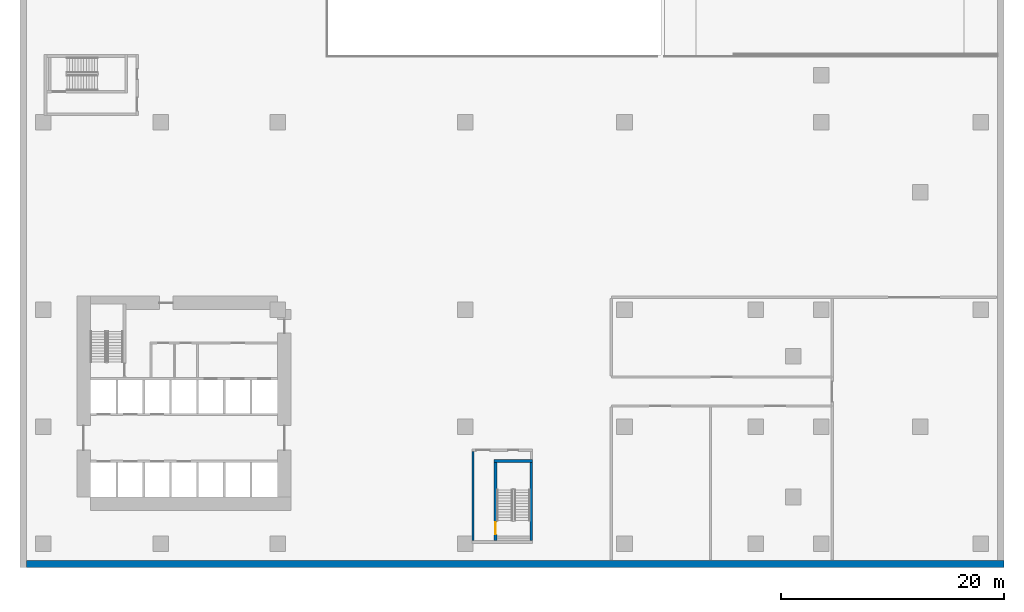
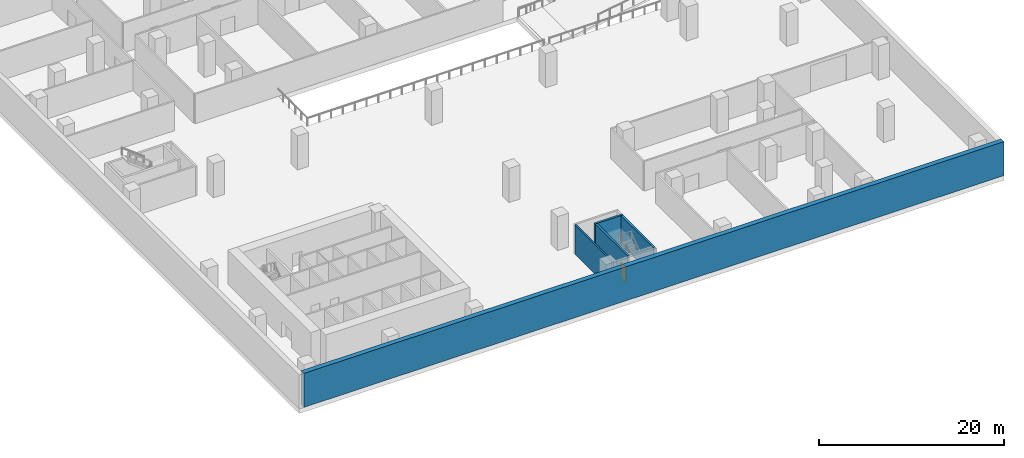
# One storey, part 3 of 12: 5 walls, 1 door, 1 opening.
"""IFC4 building model written with IfcOpenShell, lengths in metres."""

import ifcopenshell
import ifcopenshell.guid

model = None  # the IFC model being written
_history = None  # IfcOwnerHistory: only IFC2X3 demands one
_inside = {}  # id of a spatial element -> (the spatial element, [elements in it])
_under = {}  # id of a project, library or spatial element -> (it, [spatial elements below it])
_declared = {}  # id of a project -> (the project, [libraries it declares])
_typed = {}  # id of a type object -> (the type object, [elements of that type])
_made_of = {}  # id of a material, layer set ... -> (it, [elements and type objects made of it])


def new_model(schema):
    """Start an empty IFC model of exactly this schema.

    Asked for "IFC4X3", IfcOpenShell would pick the latest addendum, in which some entities
    have other attributes; the version numbers below select the first issue.
    IFC2X3 requires an IfcOwnerHistory on every rooted entity: one is made here for all.
    """
    global model, _history
    if schema == "IFC4X3":
        model = ifcopenshell.file(schema_version=(4, 3, 0, 0))
    else:
        model = ifcopenshell.file(schema=schema)
    _inside.clear()
    _under.clear()
    _declared.clear()
    _typed.clear()
    _made_of.clear()
    _history = None
    if model.schema == "IFC2X3":
        org = make("IfcOrganization", Name="unknown")
        user = make(
            "IfcPersonAndOrganization",
            ThePerson=make("IfcPerson", FamilyName="unknown"),
            TheOrganization=org,
        )
        app = make(
            "IfcApplication",
            ApplicationDeveloper=org,
            Version="unknown",
            ApplicationFullName="unknown",
            ApplicationIdentifier="unknown",
        )
        _history = make(
            "IfcOwnerHistory",
            OwningUser=user,
            OwningApplication=app,
            ChangeAction="ADDED",
            CreationDate=0,
        )
    return model


def make(cls, **values):
    """One entity of the class cls with the attributes given. An attribute that is None is left unset."""
    return model.create_entity(
        cls, **{name: value for name, value in values.items() if value is not None}
    )


def rooted(cls, **values):
    """An entity with a GlobalId (a new one), such as an element, a storey or a relation."""
    return make(cls, GlobalId=ifcopenshell.guid.new(), OwnerHistory=_history, **values)


def si_unit(unit_type, name, prefix=None):
    """IfcSIUnit, for example si_unit("LENGTHUNIT", "METRE", prefix="MILLI")."""
    return make("IfcSIUnit", UnitType=unit_type, Prefix=prefix, Name=name)


def assignment(units):
    """IfcUnitAssignment: the units of a project."""
    return None if units is None else make("IfcUnitAssignment", Units=units)


def point(xyz):
    """IfcCartesianPoint."""
    return None if xyz is None else make("IfcCartesianPoint", Coordinates=xyz)


def direction(xyz):
    """IfcDirection."""
    return None if xyz is None else make("IfcDirection", DirectionRatios=xyz)


def frame(location, z_axis=None, x_axis=None):
    """IfcAxis2Placement3D, a coordinate frame: its origin and axes. An axis left out is left unset."""
    return make(
        "IfcAxis2Placement3D",
        Location=point(location),
        Axis=direction(z_axis),
        RefDirection=direction(x_axis),
    )


def frame_2d(location, x_axis=None):
    """IfcAxis2Placement2D, a coordinate frame in the plane: its origin and x axis."""
    return make(
        "IfcAxis2Placement2D", Location=point(location), RefDirection=direction(x_axis)
    )


def origin():
    """The frame at (0, 0, 0) with its axes left unset."""
    return frame((0.0, 0.0, 0.0))


def place(relative_to, where):
    """IfcLocalPlacement: puts the frame where relative to a parent placement (None: the world)."""
    return make(
        "IfcLocalPlacement", PlacementRelTo=relative_to, RelativePlacement=where
    )


def context(
    kind, dimensions, precision=None, world=None, true_north=None, identifier=None
):
    """IfcGeometricRepresentationContext, for example the 3D "Model" context."""
    return make(
        "IfcGeometricRepresentationContext",
        ContextIdentifier=identifier,
        ContextType=kind,
        CoordinateSpaceDimension=dimensions,
        Precision=precision,
        WorldCoordinateSystem=world,
        TrueNorth=true_north,
    )


def subcontext(parent, identifier, kind, view, scale=None):
    """IfcGeometricRepresentationSubContext, for example "Body" below "Model"."""
    return make(
        "IfcGeometricRepresentationSubContext",
        ContextIdentifier=identifier,
        ContextType=kind,
        ParentContext=parent,
        TargetScale=scale,
        TargetView=view,
    )


def project(units=None, contexts=None):
    """IfcProject with its units and contexts."""
    return rooted(
        "IfcProject",
        Name="project",
        RepresentationContexts=contexts,
        UnitsInContext=assignment(units),
    )


def spatial(cls, under=None, at=None, **own):
    """A site, building, storey or space (cls), placed at a placement, below another one or the project."""
    s = rooted(cls, ObjectPlacement=at, **own)
    if under is not None:
        _under.setdefault(under.id(), (under, []))[1].append(s)
    return s


def profile(cls, at=None, kind="AREA", **sizes):
    """A parametric profile (cls). Its sizes go by their IFC names, for example OverallWidth=200.0."""
    return make(cls, ProfileType=kind, Position=at, **sizes)


def rectangle(**sizes):
    """IfcRectangleProfileDef."""
    return profile("IfcRectangleProfileDef", **sizes)


def extrude(swept, where, along, depth):
    """IfcExtrudedAreaSolid: the profile swept, set in the frame where, extruded along a direction by depth."""
    return make(
        "IfcExtrudedAreaSolid",
        SweptArea=swept,
        Position=where,
        ExtrudedDirection=direction(along),
        Depth=depth,
    )


def shape(context_of_items, identifier, shape_type, items):
    """IfcShapeRepresentation: the items that make up one representation, for example the "Body"."""
    return make(
        "IfcShapeRepresentation",
        ContextOfItems=context_of_items,
        RepresentationIdentifier=identifier,
        RepresentationType=shape_type,
        Items=items,
    )


def source(mapping_origin, context_of_items, identifier, shape_type, items):
    """IfcRepresentationMap: a shape defined once, which mapped items show again and again."""
    return make(
        "IfcRepresentationMap",
        MappingOrigin=mapping_origin,
        MappedRepresentation=shape(context_of_items, identifier, shape_type, items),
    )


def transform(
    local_origin,
    x_axis=None,
    y_axis=None,
    z_axis=None,
    scale=None,
    scale2=None,
    scale3=None,
    uniform=True,
):
    """IfcCartesianTransformationOperator3D, or its non-uniform kind. x_axis, y_axis, z_axis: its Axis1, 2, 3."""
    if uniform:
        return make(
            "IfcCartesianTransformationOperator3D",
            Axis1=direction(x_axis),
            Axis2=direction(y_axis),
            LocalOrigin=point(local_origin),
            Scale=scale,
            Axis3=direction(z_axis),
        )
    return make(
        "IfcCartesianTransformationOperator3DnonUniform",
        Axis1=direction(x_axis),
        Axis2=direction(y_axis),
        LocalOrigin=point(local_origin),
        Scale=scale,
        Axis3=direction(z_axis),
        Scale2=scale2,
        Scale3=scale3,
    )


def mapped(mapping_source, mapping_target):
    """IfcMappedItem: shows the shape of a source again, moved by a transform."""
    return make(
        "IfcMappedItem", MappingSource=mapping_source, MappingTarget=mapping_target
    )


def material(Name=None, Category=None):
    """IfcMaterial."""
    return make("IfcMaterial", Name=Name, Category=Category)


def layer(
    of_material, thickness, ventilated=None, Name=None, Category=None, Priority=None
):
    """IfcMaterialLayer: one layer of a wall or slab, of a material (None: an air gap)."""
    return make(
        "IfcMaterialLayer",
        Material=of_material,
        LayerThickness=thickness,
        IsVentilated=ventilated,
        Name=Name,
        Category=Category,
        Priority=Priority,
    )


def layer_set(layers, Name=None):
    """IfcMaterialLayerSet."""
    return make("IfcMaterialLayerSet", MaterialLayers=layers, LayerSetName=Name)


def made_of(thing, what):
    """Note that an element or type object is made of a material, layer set ...; save() writes the relation."""
    if what is not None:
        _made_of.setdefault(what.id(), (what, []))[1].append(thing)
    return thing


def type_object(cls, material=None, **own):
    """A type object (cls), such as IfcWallType, which elements share."""
    return made_of(rooted(cls, **own), material)


def element(
    cls,
    number,
    at=None,
    inside=None,
    cuts=None,
    type_object=None,
    material=None,
    context=None,
    identifier="Body",
    shape_type=None,
    held_by="IfcProductDefinitionShape",
    body=None,
    shapes=None,
    **own,
):
    """One element of the class cls, such as IfcWall. Its Tag is "e" and its number.

    at: its placement. inside: the storey or other place that contains it. cuts: it is an
    opening in that element (IfcRelVoidsElement). A single representation is given by context,
    identifier, shape_type and body (its items); several are given by shapes. held_by: the class
    of the entity that holds the representations. save() writes the other relations.
    """
    e = rooted(cls, Tag="e%d" % number, ObjectPlacement=at, **own)
    if body is not None:
        shapes = [shape(context, identifier, shape_type, body)]
    if shapes is not None:
        e.Representation = make(held_by, Representations=shapes)
    if inside is not None:
        _inside.setdefault(inside.id(), (inside, []))[1].append(e)
    if cuts is not None:
        rooted(
            "IfcRelVoidsElement", RelatingBuildingElement=cuts, RelatedOpeningElement=e
        )
    if type_object is not None:
        _typed.setdefault(type_object.id(), (type_object, []))[1].append(e)
    return made_of(e, material)


def fill(opening, filler):
    """IfcRelFillsElement: the door or window that sits in an opening."""
    return rooted(
        "IfcRelFillsElement",
        RelatingOpeningElement=opening,
        RelatedBuildingElement=filler,
    )


def aggregate(whole, parts):
    """IfcRelAggregates: a whole, such as a stair, and the parts it consists of."""
    return rooted("IfcRelAggregates", RelatingObject=whole, RelatedObjects=parts)


def save(model, path):
    """Write the relations noted so far, then the file.

    IfcRelAggregates (storeys below a building ...), IfcRelContainedInSpatialStructure (elements
    in a storey), IfcRelDefinesByType, IfcRelAssociatesMaterial and IfcRelDeclares: one each for
    every whole, place, type object, material and project.
    """
    for whole, parts in _under.values():
        aggregate(whole, parts)
    for where, things in _inside.values():
        rooted(
            "IfcRelContainedInSpatialStructure",
            RelatedElements=things,
            RelatingStructure=where,
        )
    for kind, things in _typed.values():
        rooted("IfcRelDefinesByType", RelatedObjects=things, RelatingType=kind)
    for what, things in _made_of.values():
        rooted("IfcRelAssociatesMaterial", RelatedObjects=things, RelatingMaterial=what)
    for by, libraries in _declared.values():
        rooted("IfcRelDeclares", RelatingContext=by, RelatedDefinitions=libraries)
    model.write(path)


model = new_model("IFC4")

# Units and contexts
model_context = context("Model", 3, precision=1e-05, world=origin(), true_north=direction((0.0, 1.0)))
body_context = subcontext(model_context, "Body", "Model", "MODEL_VIEW")
ifc_project = project(units=[si_unit("LENGTHUNIT", "METRE"), si_unit("AREAUNIT", "SQUARE_METRE"), si_unit("VOLUMEUNIT", "CUBIC_METRE"), si_unit("PLANEANGLEUNIT", "RADIAN"), si_unit("MASSUNIT", "GRAM", prefix="KILO")], contexts=[model_context])

# Site, building, storey
site_placement = place(None, origin())
site = spatial("IfcSite", under=ifc_project, at=site_placement, CompositionType="ELEMENT")
building_placement = place(site_placement, origin())
building = spatial("IfcBuilding", under=site, at=building_placement, Name="Aurelian Terraces", CompositionType="ELEMENT")
storey_placement = place(building_placement, frame((0.0, 0.0, -4.5)))
storey = spatial("IfcBuildingStorey", under=building, at=storey_placement, Name="B1", CompositionType="ELEMENT", Elevation=-4.5)

# Wall
ifc_material_1 = material(Name="Concrete fc' 40 MPa", Category="concrete")
ifc_layer_1 = layer(ifc_material_1, 0.6)
ifc_layer_set_1 = layer_set([ifc_layer_1], Name="BASEMENT WALL 600 FC40")
wall_type_1 = type_object("IfcWallType", Name="BASEMENT WALL 600 FC40", PredefinedType="SOLIDWALL", material=ifc_layer_set_1)
shared_shape_1 = source(origin(), body_context, "Body", "SweptSolid", [
    extrude(rectangle(XDim=87.6, YDim=0.6, at=frame_2d((43.8, 0.0))), origin(), (0.0, 0.0, 1.0), 4.5),
])
wall_1_placement = place(storey_placement, frame((-1.5, -1.8, 0.0), z_axis=(0.0, 0.0, 1.0), x_axis=(1.0, 0.0, 0.0)))
element("IfcWall", 1, at=wall_1_placement, inside=storey, type_object=wall_type_1, Name="Basement wall 4 B1", PredefinedType="SOLIDWALL", context=body_context, shape_type="MappedRepresentation", body=[
    mapped(shared_shape_1, transform((0.0, 0.0, 0.0), scale=1.0)),
])

# Wall, opening, door
ifc_layer_2 = layer(ifc_material_1, 0.25)
ifc_layer_set_2 = layer_set([ifc_layer_2], Name="Stair enclosure wall 250")
wall_type_2 = type_object("IfcWallType", Name="Stair enclosure wall 250", PredefinedType="SOLIDWALL", material=ifc_layer_set_2)
shared_shape_2 = source(origin(), body_context, "Body", "SweptSolid", [
    extrude(rectangle(XDim=7.0, YDim=0.25, at=frame_2d((3.5, 0.0))), origin(), (0.0, 0.0, 1.0), 3.9),
])
wall_2_placement = place(storey_placement, frame((40.525, 0.3, 0.0), z_axis=(0.0, 0.0, 1.0), x_axis=(0.0, 1.0, 0.0)))
wall_2 = element("IfcWall", 2, at=wall_2_placement, inside=storey, type_object=wall_type_2, Name="B1 core wall ST-S2-W", PredefinedType="SOLIDWALL", context=body_context, shape_type="MappedRepresentation", body=[
    mapped(shared_shape_2, transform((0.0, 0.0, 0.0), scale=1.0)),
])
shared_shape_3 = source(origin(), body_context, "Body", "SweptSolid", [
    extrude(rectangle(XDim=1.1, YDim=2.1, at=frame_2d((0.55, 1.05))), frame((0.0, 0.135, 0.0), z_axis=(0.0, -1.0, 0.0), x_axis=(1.0, 0.0, 0.0)), (0.0, 0.0, 1.0), 0.27),
])
opening_placement = place(wall_2_placement, frame((0.55, 0.0, 0.0)))
opening = element("IfcOpeningElement", 3, at=opening_placement, cuts=wall_2, Name="Opening 60214", PredefinedType="OPENING", context=body_context, shape_type="MappedRepresentation", body=[
    mapped(shared_shape_3, transform((0.0, 0.0, 0.0), scale=1.0)),
])
ifc_material_2 = material(Name="Steel door leaf", Category="steel")
door_type = type_object("IfcDoorType", Name="Core fire door 1100x2100", OperationType="SINGLE_SWING_LEFT", PredefinedType="DOOR", material=ifc_material_2)
shared_shape_4 = source(origin(), body_context, "Body", "SweptSolid", [
    extrude(rectangle(XDim=1.1, YDim=2.1, at=frame_2d((0.55, 1.05))), frame((0.0, 0.025, 0.0), z_axis=(0.0, -1.0, 0.0), x_axis=(1.0, 0.0, 0.0)), (0.0, 0.0, 1.0), 0.05),
])
door_placement = place(opening_placement, origin())
door = element("IfcDoor", 4, at=door_placement, inside=storey, type_object=door_type, Name="Stair door 60214", OperationType="SINGLE_SWING_LEFT", OverallHeight=2.1, OverallWidth=1.1, PredefinedType="DOOR", context=body_context, shape_type="MappedRepresentation", body=[
    mapped(shared_shape_4, transform((0.0, 0.0, 0.0), scale=1.0)),
])
fill(opening, door)

# Walls
wall_3_placement = place(storey_placement, frame((43.725, 0.3, 0.0), z_axis=(0.0, 0.0, 1.0), x_axis=(0.0, 1.0, 0.0)))
element("IfcWall", 5, at=wall_3_placement, inside=storey, type_object=wall_type_2, Name="B1 core wall ST-S2-E", PredefinedType="SOLIDWALL", context=body_context, shape_type="MappedRepresentation", body=[
    mapped(shared_shape_2, transform((0.0, 0.0, 0.0), scale=1.0)),
])
shared_shape_5 = source(origin(), body_context, "Body", "SweptSolid", [
    extrude(rectangle(XDim=3.45, YDim=0.25, at=frame_2d((1.725, 0.0))), origin(), (0.0, 0.0, 1.0), 3.9),
])
wall_4_placement = place(storey_placement, frame((40.4, 7.425, 0.0), z_axis=(0.0, 0.0, 1.0), x_axis=(1.0, 0.0, 0.0)))
element("IfcWall", 6, at=wall_4_placement, inside=storey, type_object=wall_type_2, Name="B1 core wall ST-S2-N", PredefinedType="SOLIDWALL", context=body_context, shape_type="MappedRepresentation", body=[
    mapped(shared_shape_5, transform((0.0, 0.0, 0.0), scale=1.0)),
])
ifc_material_3 = material(Name="Gypsum board on steel studs", Category="steel")
ifc_layer_3 = layer(ifc_material_3, 0.2)
ifc_layer_set_3 = layer_set([ifc_layer_3], Name="Core partition 200")
wall_type_3 = type_object("IfcWallType", Name="Core partition 200", PredefinedType="PARTITIONING", material=ifc_layer_set_3)
shared_shape_6 = source(origin(), body_context, "Body", "SweptSolid", [
    extrude(rectangle(XDim=8.0, YDim=0.2, at=frame_2d((4.0, 0.0))), origin(), (0.0, 0.0, 1.0), 3.9),
])
wall_5_placement = place(storey_placement, frame((38.5, 0.3, 0.0), z_axis=(0.0, 0.0, 1.0), x_axis=(0.0, 1.0, 0.0)))
element("IfcWall", 7, at=wall_5_placement, inside=storey, type_object=wall_type_3, Name="B1 core wall ST-S2-VW", PredefinedType="PARTITIONING", context=body_context, shape_type="MappedRepresentation", body=[
    mapped(shared_shape_6, transform((0.0, 0.0, 0.0), scale=1.0)),
])

save(model, "model.ifc")
